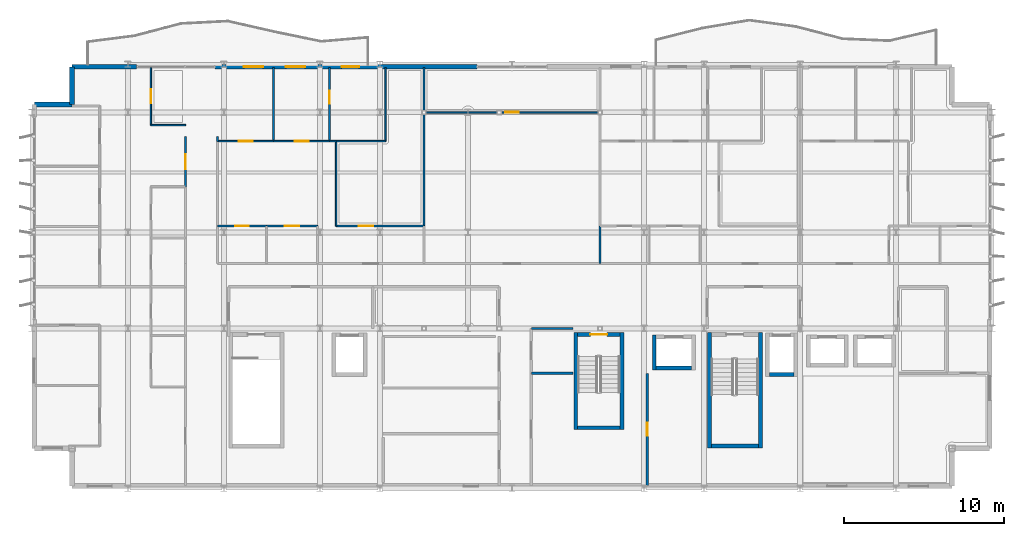
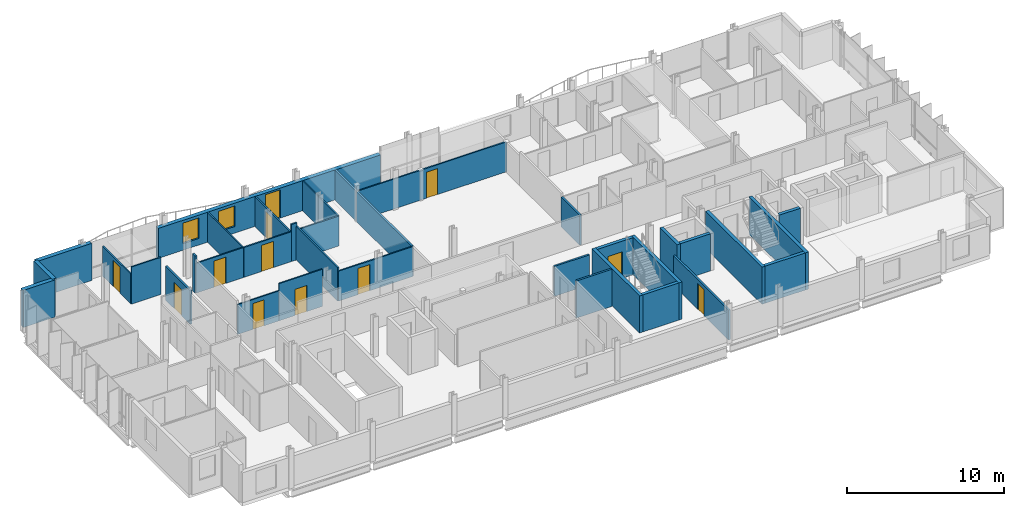
# One storey, part 28 of 35: 36 walls, 12 doors, 2 windows, 14 openings.
"""IFC4 building model written with IfcOpenShell, lengths in metres."""

from ifc_helpers import new_model, si_unit, direction, frame, frame_2d, origin, place, context, subcontext, project, spatial, rectangle, extrude, material, layer, layer_set, type_object, element, fill, save


model = new_model("IFC4")

# Units and contexts
model_context = context("Model", 3, precision=1e-05, world=origin(), true_north=direction((0.0, 1.0)))
body_context = subcontext(model_context, "Body", "Model", "MODEL_VIEW")
ifc_project = project(units=[si_unit("LENGTHUNIT", "METRE"), si_unit("AREAUNIT", "SQUARE_METRE"), si_unit("VOLUMEUNIT", "CUBIC_METRE"), si_unit("PLANEANGLEUNIT", "RADIAN"), si_unit("MASSUNIT", "GRAM", prefix="KILO")], contexts=[model_context])

# Site, building, storey
site_placement = place(None, origin())
site = spatial("IfcSite", under=ifc_project, at=site_placement, CompositionType="ELEMENT")
building_placement = place(site_placement, origin())
building = spatial("IfcBuilding", under=site, at=building_placement, Name="Brevholm Reach", CompositionType="ELEMENT")
storey_placement = place(building_placement, frame((0.0, 0.0, 218.0)))
storey = spatial("IfcBuildingStorey", under=building, at=storey_placement, Name="L66", CompositionType="ELEMENT", Elevation=218.0)

# Walls
ifc_material_1 = material(Name="Concrete C45/55", Category="concrete")
ifc_layer_1 = layer(ifc_material_1, 0.239990234375)
ifc_layer_set_1 = layer_set([ifc_layer_1], Name="Concrete C45/55")
wall_type_1 = type_object("IfcWallType", Name="WAL-COR-240", PredefinedType="SHEAR", material=ifc_layer_set_1)
for number, where, z_axis, x_axis, name in (
    (1, (42.330078125, 2.5400390625, 0.0), (0.0, 0.0, 1.0), (0.0, 1.0, 0.0), "L66 Escape Stair ST-2 Core Wall W"),
    (2, (45.52001953125, 2.5400390625, 0.0), (0.0, 0.0, 1.0), (0.0, 1.0, 0.0), "L66 Escape Stair ST-2 Core Wall E"),
):
    element("IfcWall", number, at=place(storey_placement, frame(where, z_axis=z_axis, x_axis=x_axis)), inside=storey, type_object=wall_type_1, Name=name, PredefinedType="SHEAR", context=body_context, shape_type="SweptSolid", body=[
        extrude(rectangle(XDim=7.199951171875, YDim=0.239990234375, at=frame_2d((3.60009765625, 0.0))), origin(), (0.0, 0.0, 1.0), 2.889892578125),
    ])
wall_1_placement = place(storey_placement, frame((42.449951171875, 2.659912109375, 0.0), z_axis=(0.0, 0.0, 1.0), x_axis=(1.0, 0.0, 0.0)))
element("IfcWall", 3, at=wall_1_placement, inside=storey, type_object=wall_type_1, Name="L66 Escape Stair ST-2 Core Wall S", PredefinedType="SHEAR", context=body_context, shape_type="SweptSolid", body=[
    extrude(rectangle(XDim=2.949951171875, YDim=0.239990234375, at=frame_2d((1.47509765625, 0.0))), origin(), (0.0, 0.0, 1.0), 2.889892578125),
])
for number, where, z_axis, x_axis, name in (
    (4, (33.97998046875, 3.679931640625, 0.0), (0.0, 0.0, 1.0), (0.0, 1.0, 0.0), "L66 Escape Stair ST-3 Core Wall W"),
    (5, (36.8701171875, 3.679931640625, 0.0), (0.0, 0.0, 1.0), (0.0, 1.0, 0.0), "L66 Escape Stair ST-3 Core Wall E"),
):
    element("IfcWall", number, at=place(storey_placement, frame(where, z_axis=z_axis, x_axis=x_axis)), inside=storey, type_object=wall_type_1, Name=name, PredefinedType="SHEAR", context=body_context, shape_type="SweptSolid", body=[
        extrude(rectangle(XDim=6.06005859375, YDim=0.239990234375, at=frame_2d((3.030029296875, 0.0))), origin(), (0.0, 0.0, 1.0), 2.889892578125),
    ])
wall_2_placement = place(storey_placement, frame((34.10009765625, 3.800048828125, 0.0), z_axis=(0.0, 0.0, 1.0), x_axis=(1.0, 0.0, 0.0)))
element("IfcWall", 6, at=wall_2_placement, inside=storey, type_object=wall_type_1, Name="L66 Escape Stair ST-3 Core Wall S", PredefinedType="SHEAR", context=body_context, shape_type="SweptSolid", body=[
    extrude(rectangle(XDim=2.64990234375, YDim=0.239990234375, at=frame_2d((1.324951171875, 0.0))), origin(), (0.0, 0.0, 1.0), 2.889892578125),
])

# Wall, opening, door
wall_3_placement = place(storey_placement, frame((36.75, 9.6201171875, 0.0), z_axis=(0.0, 0.0, 1.0), x_axis=(-1.0, 0.0, 0.0)))
wall_3 = element("IfcWall", 7, at=wall_3_placement, inside=storey, type_object=wall_type_1, Name="L66 Escape Stair ST-3 Core Wall N", PredefinedType="SHEAR", context=body_context, shape_type="SweptSolid", body=[
    extrude(rectangle(XDim=2.64990234375, YDim=0.239990234375, at=frame_2d((1.324951171875, 0.0))), origin(), (0.0, 0.0, 1.0), 2.889892578125),
])
opening_1_placement = place(wall_3_placement, frame((0.800048828125, 0.0, 0.0)))
opening_1 = element("IfcOpeningElement", 8, at=opening_1_placement, cuts=wall_3, Name="Opening SD-ST-3", PredefinedType="OPENING", context=body_context, shape_type="SweptSolid", body=[
    extrude(rectangle(XDim=1.050048828125, YDim=2.06005859375, at=frame_2d((0.52490234375, 1.030029296875))), frame((0.0, 0.1298828125, 0.0), z_axis=(0.0, -1.0, 0.0), x_axis=(1.0, 0.0, 0.0)), (0.0, 0.0, 1.0), 0.260009765625),
])
ifc_material_2 = material(Name="Hardwood-Lipped Steel-Core Fire and Smoke Door", Category="steel")
door_type_1 = type_object("IfcDoorType", Name="DOR-INT-FD60S", OperationType="NOTDEFINED", PredefinedType="DOOR", material=ifc_material_2)
door_1_placement = place(opening_1_placement, origin())
door_1 = element("IfcDoor", 9, at=door_1_placement, inside=storey, type_object=door_type_1, Name="L66 Protected Stair ST-3 Lobby Door", OperationType="SINGLE_SWING_LEFT", OverallHeight=2.06005859375, OverallWidth=1.050048828125, PredefinedType="DOOR", context=body_context, shape_type="SweptSolid", body=[
    extrude(rectangle(XDim=1.050048828125, YDim=2.06005859375, at=frame_2d((0.52490234375, 1.030029296875))), frame((0.0, 0.02490234375, 0.0), z_axis=(0.0, -1.0, 0.0), x_axis=(1.0, 0.0, 0.0)), (0.0, 0.0, 1.0), 0.050048828125),
])
fill(opening_1, door_1)

# Walls
wall_4_placement = place(storey_placement, frame((46.090087890625, 7.1201171875, 0.0), z_axis=(0.0, 0.0, 1.0), x_axis=(1.0, 0.0, 0.0)))
element("IfcWall", 10, at=wall_4_placement, inside=storey, type_object=wall_type_1, Name="L66 Lift FFL-2 Shaft Wall S", PredefinedType="SHEAR", context=body_context, shape_type="SweptSolid", body=[
    extrude(rectangle(XDim=1.52001953125, YDim=0.239990234375, at=frame_2d((0.760009765625, 0.0))), origin(), (0.0, 0.0, 1.0), 2.889892578125),
])
wall_5_placement = place(storey_placement, frame((38.889892578125, 7.39990234375, 0.0), z_axis=(0.0, 0.0, 1.0), x_axis=(0.0, 1.0, 0.0)))
element("IfcWall", 11, at=wall_5_placement, inside=storey, type_object=wall_type_1, Name="L66 Lift PL-S1 Shaft Wall W", PredefinedType="SHEAR", context=body_context, shape_type="SweptSolid", body=[
    extrude(rectangle(XDim=2.2001953125, YDim=0.239990234375, at=frame_2d((1.10009765625, 0.0))), origin(), (0.0, 0.0, 1.0), 2.889892578125),
])
wall_6_placement = place(storey_placement, frame((39.010009765625, 7.52001953125, 0.0), z_axis=(0.0, 0.0, 1.0), x_axis=(1.0, 0.0, 0.0)))
element("IfcWall", 12, at=wall_6_placement, inside=storey, type_object=wall_type_1, Name="L66 Lift PL-S1 Shaft Wall S", PredefinedType="SHEAR", context=body_context, shape_type="SweptSolid", body=[
    extrude(rectangle(XDim=2.219970703125, YDim=0.239990234375, at=frame_2d((1.10986328125, 0.0))), origin(), (0.0, 0.0, 1.0), 2.889892578125),
])
ifc_material_3 = material(Name="Concrete C40/50", Category="concrete")
ifc_layer_2 = layer(ifc_material_3, 0.300048828125)
ifc_layer_set_2 = layer_set([ifc_layer_2], Name="Concrete C40/50")
wall_type_2 = type_object("IfcWallType", Name="WAL-EXT-300", PredefinedType="STANDARD", material=ifc_layer_set_2)
for number, where, z_axis, x_axis, name in (
    (13, (2.5, 26.35009765625, 0.0), (0.0, 0.0, 1.0), (0.0, -1.0, 0.0), "L66 Facade Wall WAL-L66-CNW1"),
    (14, (2.5, 24.0, 0.0), (0.0, 0.0, 1.0), (-1.0, 0.0, 0.0), "L66 Facade Wall WAL-L66-CNW2"),
):
    element("IfcWall", number, at=place(storey_placement, frame(where, z_axis=z_axis, x_axis=x_axis)), inside=storey, type_object=wall_type_2, Name=name, PredefinedType="STANDARD", context=body_context, shape_type="SweptSolid", body=[
        extrude(rectangle(XDim=2.35009765625, YDim=0.300048828125, at=frame_2d((1.175048828125, 0.0))), origin(), (0.0, 0.0, 1.0), 2.889892578125),
    ])
wall_7_placement = place(storey_placement, frame((2.5, 26.35009765625, 0.0), z_axis=(0.0, 0.0, 1.0), x_axis=(1.0, 0.0, 0.0)))
element("IfcWall", 15, at=wall_7_placement, inside=storey, type_object=wall_type_2, Name="L66 Facade Wall WAL-L66-NP-W0", PredefinedType="STANDARD", context=body_context, shape_type="SweptSolid", body=[
    extrude(rectangle(XDim=4.050048828125, YDim=0.300048828125, at=frame_2d((2.02490234375, 0.0))), origin(), (0.0, 0.0, 1.0), 2.889892578125),
])

# Wall, openings, door, windows
wall_8_placement = place(storey_placement, frame((11.449951171875, 26.35009765625, 0.0), z_axis=(0.0, 0.0, 1.0), x_axis=(1.0, 0.0, 0.0)))
wall_8 = element("IfcWall", 16, at=wall_8_placement, inside=storey, type_object=wall_type_2, Name="L66 Facade Wall WAL-L66-NP-WL", PredefinedType="STANDARD", context=body_context, shape_type="SweptSolid", body=[
    extrude(rectangle(XDim=16.35009765625, YDim=0.300048828125, at=frame_2d((8.175048828125, 0.0))), origin(), (0.0, 0.0, 1.0), 2.331787109375),
])
opening_2_placement = place(wall_8_placement, frame((7.89794921875, 0.0, 0.0)))
opening_2 = element("IfcOpeningElement", 17, at=opening_2_placement, cuts=wall_8, Name="Opening BD-01", PredefinedType="OPENING", context=body_context, shape_type="SweptSolid", body=[
    extrude(rectangle(XDim=1.10009765625, YDim=2.199951171875, at=frame_2d((0.550048828125, 1.10009765625))), frame((0.0, 0.159912109375, 0.0), z_axis=(0.0, -1.0, 0.0), x_axis=(1.0, 0.0, 0.0)), (0.0, 0.0, 1.0), 0.320068359375),
])
opening_3_placement = place(wall_8_placement, frame((1.800048828125, 0.0, 0.511962890625)))
opening_3 = element("IfcOpeningElement", 18, at=opening_3_placement, cuts=wall_8, Name="Opening WN-08", PredefinedType="OPENING", context=body_context, shape_type="SweptSolid", body=[
    extrude(rectangle(XDim=1.199951171875, YDim=1.60009765625, at=frame_2d((0.60009765625, 0.800048828125))), frame((0.0, 0.159912109375, 0.0), z_axis=(0.0, -1.0, 0.0), x_axis=(1.0, 0.0, 0.0)), (0.0, 0.0, 1.0), 0.320068359375),
])
opening_4_placement = place(wall_8_placement, frame((4.42138671875, 0.0, 0.511962890625)))
opening_4 = element("IfcOpeningElement", 19, at=opening_4_placement, cuts=wall_8, Name="Opening WN-08", PredefinedType="OPENING", context=body_context, shape_type="SweptSolid", body=[
    extrude(rectangle(XDim=1.199951171875, YDim=1.60009765625, at=frame_2d((0.60009765625, 0.800048828125))), frame((0.0, 0.159912109375, 0.0), z_axis=(0.0, -1.0, 0.0), x_axis=(1.0, 0.0, 0.0)), (0.0, 0.0, 1.0), 0.320068359375),
])
ifc_material_4 = material(Name="Dark Anodised Aluminium and Triple-Glazed Glass", Category="aluminium")
door_type_2 = type_object("IfcDoorType", Name="DOR-BALC-1100", OperationType="NOTDEFINED", PredefinedType="DOOR", material=ifc_material_4)
door_2_placement = place(opening_2_placement, origin())
door_2 = element("IfcDoor", 20, at=door_2_placement, inside=storey, type_object=door_type_2, Name="L66 Exterior Door DOR-L66-BL-NW", OperationType="SINGLE_SWING_RIGHT", OverallHeight=2.199951171875, OverallWidth=1.10009765625, PredefinedType="DOOR", context=body_context, shape_type="SweptSolid", body=[
    extrude(rectangle(XDim=1.10009765625, YDim=2.199951171875, at=frame_2d((0.550048828125, 1.10009765625))), frame((0.0, 0.02490234375, 0.0), z_axis=(0.0, -1.0, 0.0), x_axis=(1.0, 0.0, 0.0)), (0.0, 0.0, 1.0), 0.050048828125),
])
fill(opening_2, door_2)
ifc_material_5 = material(Name="Dark Anodised Aluminium and Solar-Control IGU Glass", Category="aluminium")
window_type = type_object("IfcWindowType", Name="WIN-RES-1200", PartitioningType="SINGLE_PANEL", PredefinedType="WINDOW", material=ifc_material_5)
window_1_placement = place(opening_3_placement, origin())
window_1 = element("IfcWindow", 21, at=window_1_placement, inside=storey, type_object=window_type, Name="L66 Window WIN-L66-NP-WL1", OverallHeight=1.60009765625, OverallWidth=1.199951171875, PartitioningType="SINGLE_PANEL", PredefinedType="WINDOW", context=body_context, shape_type="SweptSolid", body=[
    extrude(rectangle(XDim=1.199951171875, YDim=1.60009765625, at=frame_2d((0.60009765625, 0.800048828125))), frame((0.0, 0.030029296875, 0.0), z_axis=(0.0, -1.0, 0.0), x_axis=(1.0, 0.0, 0.0)), (0.0, 0.0, 1.0), 0.06005859375),
])
fill(opening_3, window_1)
window_2_placement = place(opening_4_placement, origin())
window_2 = element("IfcWindow", 22, at=window_2_placement, inside=storey, type_object=window_type, Name="L66 Bedroom Window 073", OverallHeight=1.60009765625, OverallWidth=1.199951171875, PartitioningType="SINGLE_PANEL", PredefinedType="WINDOW", context=body_context, shape_type="SweptSolid", body=[
    extrude(rectangle(XDim=1.199951171875, YDim=1.60009765625, at=frame_2d((0.60009765625, 0.800048828125))), frame((0.0, 0.030029296875, 0.0), z_axis=(0.0, -1.0, 0.0), x_axis=(1.0, 0.0, 0.0)), (0.0, 0.0, 1.0), 0.06005859375),
])
fill(opening_4, window_2)

# Wall
ifc_material_6 = material(Name="Moisture-Resistant Acoustic Gypsum Stud Partition 100 mm", Category="gypsum")
ifc_layer_3 = layer(ifc_material_6, 0.10009765625)
ifc_layer_set_3 = layer_set([ifc_layer_3], Name="Moisture-Resistant Acoustic Gypsum Stud Partition 100 mm")
wall_type_3 = type_object("IfcWallType", Name="WAL-PRT-100", PredefinedType="PARTITIONING", material=ifc_layer_set_3)
wall_9_placement = place(storey_placement, frame((7.43798828125, 22.699951171875, 0.0), z_axis=(0.0, 0.0, 1.0), x_axis=(1.0, 0.0, 0.0)))
element("IfcWall", 23, at=wall_9_placement, inside=storey, type_object=wall_type_3, Name="L66 Internal Partition 060", PredefinedType="PARTITIONING", context=body_context, shape_type="SweptSolid", body=[
    extrude(rectangle(XDim=2.162109375, YDim=0.10009765625, at=frame_2d((1.0810546875, 0.0))), origin(), (0.0, 0.0, 1.0), 2.889892578125),
])

# Wall, opening, door
wall_10_placement = place(storey_placement, frame((7.43798828125, 22.699951171875, 0.0), z_axis=(0.0, 0.0, 1.0), x_axis=(0.0, 1.0, 0.0)))
wall_10 = element("IfcWall", 24, at=wall_10_placement, inside=storey, type_object=wall_type_3, Name="L66 Internal Partition 061", PredefinedType="PARTITIONING", context=body_context, shape_type="SweptSolid", body=[
    extrude(rectangle(XDim=3.60009765625, YDim=0.10009765625, at=frame_2d((1.800048828125, 0.0))), origin(), (0.0, 0.0, 1.0), 2.325439453125),
])
opening_5_placement = place(wall_10_placement, frame((1.360107421875, 0.0, 0.0)))
opening_5 = element("IfcOpeningElement", 25, at=opening_5_placement, cuts=wall_10, Name="Opening ID-01", PredefinedType="OPENING", context=body_context, shape_type="SweptSolid", body=[
    extrude(rectangle(XDim=0.8798828125, YDim=2.0400390625, at=frame_2d((0.43994140625, 1.02001953125))), frame((0.0, 0.06005859375, 0.0), z_axis=(0.0, -1.0, 0.0), x_axis=(1.0, 0.0, 0.0)), (0.0, 0.0, 1.0), 0.1201171875),
])
ifc_material_7 = material(Name="Lacquered Ash Solid-Core Acoustic Internal Door", Category="timber")
door_type_3 = type_object("IfcDoorType", Name="DOR-INT-880", OperationType="NOTDEFINED", PredefinedType="DOOR", material=ifc_material_7)
door_3_placement = place(opening_5_placement, origin())
door_3 = element("IfcDoor", 26, at=door_3_placement, inside=storey, type_object=door_type_3, Name="L66 Internal Door 026", OperationType="SINGLE_SWING_LEFT", OverallHeight=2.0400390625, OverallWidth=0.8798828125, PredefinedType="DOOR", context=body_context, shape_type="SweptSolid", body=[
    extrude(rectangle(XDim=0.8798828125, YDim=2.0400390625, at=frame_2d((0.43994140625, 1.02001953125))), frame((0.0, 0.02490234375, 0.0), z_axis=(0.0, -1.0, 0.0), x_axis=(1.0, 0.0, 0.0)), (0.0, 0.0, 1.0), 0.050048828125),
])
fill(opening_5, door_3)

wall_11_placement = place(storey_placement, frame((11.60400390625, 16.39990234375, 0.0), z_axis=(0.0, 0.0, 1.0), x_axis=(1.0, 0.0, 0.0)))
wall_11 = element("IfcWall", 27, at=wall_11_placement, inside=storey, type_object=wall_type_3, Name="L66 Internal Partition 069", PredefinedType="PARTITIONING", context=body_context, shape_type="SweptSolid", body=[
    extrude(rectangle(XDim=3.0458984375, YDim=0.10009765625, at=frame_2d((1.52294921875, 0.0))), origin(), (0.0, 0.0, 1.0), 2.325439453125),
])
opening_6_placement = place(wall_11_placement, frame((1.113037109375, 0.0, 0.0)))
opening_6 = element("IfcOpeningElement", 28, at=opening_6_placement, cuts=wall_11, Name="Opening ID-03", PredefinedType="OPENING", context=body_context, shape_type="SweptSolid", body=[
    extrude(rectangle(XDim=0.820068359375, YDim=2.02001953125, at=frame_2d((0.41015625, 1.010009765625))), frame((0.0, 0.06005859375, 0.0), z_axis=(0.0, -1.0, 0.0), x_axis=(1.0, 0.0, 0.0)), (0.0, 0.0, 1.0), 0.1201171875),
])
ifc_material_8 = material(Name="Moisture-Resistant Painted Timber Internal Bathroom Door", Category="wood")
door_type_4 = type_object("IfcDoorType", Name="DOR-BATH-820", OperationType="NOTDEFINED", PredefinedType="DOOR", material=ifc_material_8)
door_4_placement = place(opening_6_placement, origin())
door_4 = element("IfcDoor", 29, at=door_4_placement, inside=storey, type_object=door_type_4, Name="L66 Internal Door 030", OperationType="SINGLE_SWING_LEFT", OverallHeight=2.02001953125, OverallWidth=0.820068359375, PredefinedType="DOOR", context=body_context, shape_type="SweptSolid", body=[
    extrude(rectangle(XDim=0.820068359375, YDim=2.02001953125, at=frame_2d((0.41015625, 1.010009765625))), frame((0.0, 0.02490234375, 0.0), z_axis=(0.0, -1.0, 0.0), x_axis=(1.0, 0.0, 0.0)), (0.0, 0.0, 1.0), 0.050048828125),
])
fill(opening_6, door_4)

wall_12_placement = place(storey_placement, frame((14.654052734375, 16.39990234375, 0.0), z_axis=(0.0, 0.0, 1.0), x_axis=(1.0, 0.0, 0.0)))
wall_12 = element("IfcWall", 30, at=wall_12_placement, inside=storey, type_object=wall_type_3, Name="L66 Internal Partition 071", PredefinedType="PARTITIONING", context=body_context, shape_type="SweptSolid", body=[
    extrude(rectangle(XDim=3.196044921875, YDim=0.10009765625, at=frame_2d((1.59814453125, 0.0))), origin(), (0.0, 0.0, 1.0), 2.889892578125),
])
opening_7_placement = place(wall_12_placement, frame((1.157958984375, 0.0, 0.0)))
opening_7 = element("IfcOpeningElement", 31, at=opening_7_placement, cuts=wall_12, Name="Opening ID-01", PredefinedType="OPENING", context=body_context, shape_type="SweptSolid", body=[
    extrude(rectangle(XDim=0.8798828125, YDim=2.0400390625, at=frame_2d((0.43994140625, 1.02001953125))), frame((0.0, 0.06005859375, 0.0), z_axis=(0.0, -1.0, 0.0), x_axis=(1.0, 0.0, 0.0)), (0.0, 0.0, 1.0), 0.1201171875),
])
door_5_placement = place(opening_7_placement, origin())
door_5 = element("IfcDoor", 32, at=door_5_placement, inside=storey, type_object=door_type_3, Name="L66 Internal Door 031", OperationType="SINGLE_SWING_RIGHT", OverallHeight=2.0400390625, OverallWidth=0.8798828125, PredefinedType="DOOR", context=body_context, shape_type="SweptSolid", body=[
    extrude(rectangle(XDim=0.8798828125, YDim=2.0400390625, at=frame_2d((0.43994140625, 1.02001953125))), frame((0.0, 0.02490234375, 0.0), z_axis=(0.0, -1.0, 0.0), x_axis=(1.0, 0.0, 0.0)), (0.0, 0.0, 1.0), 0.050048828125),
])
fill(opening_7, door_5)

# Wall
wall_13_placement = place(storey_placement, frame((15.10009765625, 21.699951171875, 0.0), z_axis=(0.0, 0.0, 1.0), x_axis=(0.0, 1.0, 0.0)))
element("IfcWall", 33, at=wall_13_placement, inside=storey, type_object=wall_type_3, Name="L66 Internal Partition 072", PredefinedType="PARTITIONING", context=body_context, shape_type="SweptSolid", body=[
    extrude(rectangle(XDim=4.60009765625, YDim=0.10009765625, at=frame_2d((2.300048828125, 0.0))), origin(), (0.0, 0.0, 1.0), 2.325439453125),
])

# Wall, opening, door
wall_14_placement = place(storey_placement, frame((11.60400390625, 21.699951171875, 0.0), z_axis=(0.0, 0.0, 1.0), x_axis=(1.0, 0.0, 0.0)))
wall_14 = element("IfcWall", 34, at=wall_14_placement, inside=storey, type_object=wall_type_3, Name="L66 Internal Partition 073", PredefinedType="PARTITIONING", context=body_context, shape_type="SweptSolid", body=[
    extrude(rectangle(XDim=3.49609375, YDim=0.10009765625, at=frame_2d((1.748046875, 0.0))), origin(), (0.0, 0.0, 1.0), 2.325439453125),
])
opening_8_placement = place(wall_14_placement, frame((1.30810546875, 0.0, 0.0)))
opening_8 = element("IfcOpeningElement", 35, at=opening_8_placement, cuts=wall_14, Name="Opening ID-01", PredefinedType="OPENING", context=body_context, shape_type="SweptSolid", body=[
    extrude(rectangle(XDim=0.8798828125, YDim=2.0400390625, at=frame_2d((0.43994140625, 1.02001953125))), frame((0.0, 0.06005859375, 0.0), z_axis=(0.0, -1.0, 0.0), x_axis=(1.0, 0.0, 0.0)), (0.0, 0.0, 1.0), 0.1201171875),
])
door_6_placement = place(opening_8_placement, origin())
door_6 = element("IfcDoor", 36, at=door_6_placement, inside=storey, type_object=door_type_3, Name="L66 Internal Door 032", OperationType="SINGLE_SWING_LEFT", OverallHeight=2.0400390625, OverallWidth=0.8798828125, PredefinedType="DOOR", context=body_context, shape_type="SweptSolid", body=[
    extrude(rectangle(XDim=0.8798828125, YDim=2.0400390625, at=frame_2d((0.43994140625, 1.02001953125))), frame((0.0, 0.02490234375, 0.0), z_axis=(0.0, -1.0, 0.0), x_axis=(1.0, 0.0, 0.0)), (0.0, 0.0, 1.0), 0.050048828125),
])
fill(opening_8, door_6)

wall_15_placement = place(storey_placement, frame((18.60009765625, 21.699951171875, 0.0), z_axis=(0.0, 0.0, 1.0), x_axis=(0.0, 1.0, 0.0)))
wall_15 = element("IfcWall", 37, at=wall_15_placement, inside=storey, type_object=wall_type_3, Name="L66 Internal Partition 074", PredefinedType="PARTITIONING", context=body_context, shape_type="SweptSolid", body=[
    extrude(rectangle(XDim=4.60009765625, YDim=0.10009765625, at=frame_2d((2.300048828125, 0.0))), origin(), (0.0, 0.0, 1.0), 2.325439453125),
])
opening_9_placement = place(wall_15_placement, frame((2.330078125, 0.0, 0.0)))
opening_9 = element("IfcOpeningElement", 38, at=opening_9_placement, cuts=wall_15, Name="Opening ID-03", PredefinedType="OPENING", context=body_context, shape_type="SweptSolid", body=[
    extrude(rectangle(XDim=0.820068359375, YDim=2.02001953125, at=frame_2d((0.41015625, 1.010009765625))), frame((0.0, 0.06005859375, 0.0), z_axis=(0.0, -1.0, 0.0), x_axis=(1.0, 0.0, 0.0)), (0.0, 0.0, 1.0), 0.1201171875),
])
door_7_placement = place(opening_9_placement, origin())
door_7 = element("IfcDoor", 39, at=door_7_placement, inside=storey, type_object=door_type_4, Name="L66 Access Door 045", OperationType="SINGLE_SWING_RIGHT", OverallHeight=2.02001953125, OverallWidth=0.820068359375, PredefinedType="DOOR", context=body_context, shape_type="SweptSolid", body=[
    extrude(rectangle(XDim=0.820068359375, YDim=2.02001953125, at=frame_2d((0.41015625, 1.010009765625))), frame((0.0, 0.02490234375, 0.0), z_axis=(0.0, -1.0, 0.0), x_axis=(1.0, 0.0, 0.0)), (0.0, 0.0, 1.0), 0.050048828125),
])
fill(opening_9, door_7)

wall_16_placement = place(storey_placement, frame((15.10400390625, 21.699951171875, 0.0), z_axis=(0.0, 0.0, 1.0), x_axis=(1.0, 0.0, 0.0)))
wall_16 = element("IfcWall", 40, at=wall_16_placement, inside=storey, type_object=wall_type_3, Name="L66 Internal Partition 075", PredefinedType="PARTITIONING", context=body_context, shape_type="SweptSolid", body=[
    extrude(rectangle(XDim=3.49609375, YDim=0.10009765625, at=frame_2d((1.748046875, 0.0))), origin(), (0.0, 0.0, 1.0), 2.325439453125),
])
opening_10_placement = place(wall_16_placement, frame((1.30810546875, 0.0, 0.0)))
opening_10 = element("IfcOpeningElement", 41, at=opening_10_placement, cuts=wall_16, Name="Opening ID-01", PredefinedType="OPENING", context=body_context, shape_type="SweptSolid", body=[
    extrude(rectangle(XDim=0.8798828125, YDim=2.0400390625, at=frame_2d((0.43994140625, 1.02001953125))), frame((0.0, 0.06005859375, 0.0), z_axis=(0.0, -1.0, 0.0), x_axis=(1.0, 0.0, 0.0)), (0.0, 0.0, 1.0), 0.1201171875),
])
door_8_placement = place(opening_10_placement, origin())
door_8 = element("IfcDoor", 42, at=door_8_placement, inside=storey, type_object=door_type_3, Name="L66 Internal Door 033", OperationType="SINGLE_SWING_RIGHT", OverallHeight=2.0400390625, OverallWidth=0.8798828125, PredefinedType="DOOR", context=body_context, shape_type="SweptSolid", body=[
    extrude(rectangle(XDim=0.8798828125, YDim=2.0400390625, at=frame_2d((0.43994140625, 1.02001953125))), frame((0.0, 0.02490234375, 0.0), z_axis=(0.0, -1.0, 0.0), x_axis=(1.0, 0.0, 0.0)), (0.0, 0.0, 1.0), 0.050048828125),
])
fill(opening_10, door_8)

# Walls
wall_17_placement = place(storey_placement, frame((19.003662109375, 21.699951171875, 0.0), z_axis=(0.0, 0.0, 1.0), x_axis=(1.0, 0.0, 0.0)))
element("IfcWall", 43, at=wall_17_placement, inside=storey, type_object=wall_type_3, Name="L66 Internal Partition 076", PredefinedType="PARTITIONING", context=body_context, shape_type="SweptSolid", body=[
    extrude(rectangle(XDim=3.096435546875, YDim=0.10009765625, at=frame_2d((1.54833984375, 0.0))), origin(), (0.0, 0.0, 1.0), 2.325439453125),
])
wall_18_placement = place(storey_placement, frame((22.10009765625, 21.699951171875, 0.0), z_axis=(0.0, 0.0, 1.0), x_axis=(0.0, 1.0, 0.0)))
element("IfcWall", 44, at=wall_18_placement, inside=storey, type_object=wall_type_3, Name="L66 Internal Partition 077", PredefinedType="PARTITIONING", context=body_context, shape_type="SweptSolid", body=[
    extrude(rectangle(XDim=4.60009765625, YDim=0.10009765625, at=frame_2d((2.300048828125, 0.0))), origin(), (0.0, 0.0, 1.0), 2.325439453125),
])
wall_19_placement = place(storey_placement, frame((18.60400390625, 21.699951171875, 0.0), z_axis=(0.0, 0.0, 1.0), x_axis=(1.0, 0.0, 0.0)))
element("IfcWall", 45, at=wall_19_placement, inside=storey, type_object=wall_type_3, Name="L66 Internal Partition 078", PredefinedType="PARTITIONING", context=body_context, shape_type="SweptSolid", body=[
    extrude(rectangle(XDim=0.418212890625, YDim=0.10009765625, at=frame_2d((0.208984375, 0.0))), origin(), (0.0, 0.0, 1.0), 2.889892578125),
])

# Wall, opening, door
wall_20_placement = place(storey_placement, frame((19.014892578125, 16.39990234375, 0.0), z_axis=(0.0, 0.0, 1.0), x_axis=(1.0, 0.0, 0.0)))
wall_20 = element("IfcWall", 46, at=wall_20_placement, inside=storey, type_object=wall_type_3, Name="L66 Internal Partition 079", PredefinedType="PARTITIONING", context=body_context, shape_type="SweptSolid", body=[
    extrude(rectangle(XDim=5.485107421875, YDim=0.10009765625, at=frame_2d((2.74267578125, 0.0))), origin(), (0.0, 0.0, 1.0), 2.325439453125),
])
opening_11_placement = place(wall_20_placement, frame((1.422607421875, 0.0, 0.0)))
opening_11 = element("IfcOpeningElement", 47, at=opening_11_placement, cuts=wall_20, Name="Opening ID-01", PredefinedType="OPENING", context=body_context, shape_type="SweptSolid", body=[
    extrude(rectangle(XDim=0.8798828125, YDim=2.0400390625, at=frame_2d((0.43994140625, 1.02001953125))), frame((0.0, 0.06005859375, 0.0), z_axis=(0.0, -1.0, 0.0), x_axis=(1.0, 0.0, 0.0)), (0.0, 0.0, 1.0), 0.1201171875),
])
door_9_placement = place(opening_11_placement, origin())
door_9 = element("IfcDoor", 48, at=door_9_placement, inside=storey, type_object=door_type_3, Name="L66 Internal Door 034", OperationType="SINGLE_SWING_LEFT", OverallHeight=2.0400390625, OverallWidth=0.8798828125, PredefinedType="DOOR", context=body_context, shape_type="SweptSolid", body=[
    extrude(rectangle(XDim=0.8798828125, YDim=2.0400390625, at=frame_2d((0.43994140625, 1.02001953125))), frame((0.0, 0.02490234375, 0.0), z_axis=(0.0, -1.0, 0.0), x_axis=(1.0, 0.0, 0.0)), (0.0, 0.0, 1.0), 0.050048828125),
])
fill(opening_11, door_9)

# Wall
wall_21_placement = place(storey_placement, frame((19.014892578125, 16.39990234375, 0.0), z_axis=(0.0, 0.0, 1.0), x_axis=(0.0, 1.0, 0.0)))
element("IfcWall", 49, at=wall_21_placement, inside=storey, type_object=wall_type_3, Name="L66 Internal Partition 080", PredefinedType="PARTITIONING", context=body_context, shape_type="SweptSolid", body=[
    extrude(rectangle(XDim=5.296142578125, YDim=0.10009765625, at=frame_2d((2.64794921875, 0.0))), origin(), (0.0, 0.0, 1.0), 2.613525390625),
])

# Wall, opening, door
wall_22_placement = place(storey_placement, frame((24.50390625, 23.5, 0.0), z_axis=(0.0, 0.0, 1.0), x_axis=(1.0, 0.0, 0.0)))
wall_22 = element("IfcWall", 50, at=wall_22_placement, inside=storey, type_object=wall_type_3, Name="L66 Internal Partition 084", PredefinedType="PARTITIONING", context=body_context, shape_type="SweptSolid", body=[
    extrude(rectangle(XDim=10.99609375, YDim=0.10009765625, at=frame_2d((5.498046875, 0.0))), origin(), (0.0, 0.0, 1.0), 2.325439453125),
])
opening_12_placement = place(wall_22_placement, frame((5.087890625, 0.0, 0.0)))
opening_12 = element("IfcOpeningElement", 51, at=opening_12_placement, cuts=wall_22, Name="Opening ID-03", PredefinedType="OPENING", context=body_context, shape_type="SweptSolid", body=[
    extrude(rectangle(XDim=0.820068359375, YDim=2.02001953125, at=frame_2d((0.41015625, 1.010009765625))), frame((0.0, 0.06005859375, 0.0), z_axis=(0.0, -1.0, 0.0), x_axis=(1.0, 0.0, 0.0)), (0.0, 0.0, 1.0), 0.1201171875),
])
door_10_placement = place(opening_12_placement, origin())
door_10 = element("IfcDoor", 52, at=door_10_placement, inside=storey, type_object=door_type_4, Name="L66 Access Door 046", OperationType="SINGLE_SWING_LEFT", OverallHeight=2.02001953125, OverallWidth=0.820068359375, PredefinedType="DOOR", context=body_context, shape_type="SweptSolid", body=[
    extrude(rectangle(XDim=0.820068359375, YDim=2.02001953125, at=frame_2d((0.41015625, 1.010009765625))), frame((0.0, 0.02490234375, 0.0), z_axis=(0.0, -1.0, 0.0), x_axis=(1.0, 0.0, 0.0)), (0.0, 0.0, 1.0), 0.050048828125),
])
fill(opening_12, door_10)

# Wall
ifc_material_9 = material(Name="Twin-Stud Acoustic Fire-Rated Gypsum Partition 140 mm", Category="gypsum")
ifc_layer_4 = layer(ifc_material_9, 0.139892578125)
ifc_layer_set_4 = layer_set([ifc_layer_4], Name="Twin-Stud Acoustic Fire-Rated Gypsum Partition 140 mm")
wall_type_4 = type_object("IfcWallType", Name="WAL-PRT-140", PredefinedType="PARTITIONING", material=ifc_layer_set_4)
wall_23_placement = place(storey_placement, frame((31.2041015625, 7.199951171875, 0.0), z_axis=(0.0, 0.0, 1.0), x_axis=(1.0, 0.0, 0.0)))
element("IfcWall", 53, at=wall_23_placement, inside=storey, type_object=wall_type_4, Name="L66 Internal Partition 009", PredefinedType="PARTITIONING", context=body_context, shape_type="SweptSolid", body=[
    extrude(rectangle(XDim=2.607177734375, YDim=0.139892578125, at=frame_2d((1.3037109375, 0.0))), origin(), (0.0, 0.0, 1.0), 2.889892578125),
])

# Wall, opening, door
wall_24_placement = place(storey_placement, frame((38.449951171875, 0.179931640625, 0.0), z_axis=(0.0, 0.0, 1.0), x_axis=(0.0, 1.0, 0.0)))
wall_24 = element("IfcWall", 54, at=wall_24_placement, inside=storey, type_object=wall_type_4, Name="L66 Internal Partition 010", PredefinedType="PARTITIONING", context=body_context, shape_type="SweptSolid", body=[
    extrude(rectangle(XDim=7.02001953125, YDim=0.139892578125, at=frame_2d((3.510009765625, 0.0))), origin(), (0.0, 0.0, 1.0), 2.325439453125),
])
opening_13_placement = place(wall_24_placement, frame((3.10009765625, 0.0, 0.0)))
opening_13 = element("IfcOpeningElement", 55, at=opening_13_placement, cuts=wall_24, Name="Opening ID-02", PredefinedType="OPENING", context=body_context, shape_type="SweptSolid", body=[
    extrude(rectangle(XDim=0.820068359375, YDim=2.02001953125, at=frame_2d((0.41015625, 1.010009765625))), frame((0.0, 0.079833984375, 0.0), z_axis=(0.0, -1.0, 0.0), x_axis=(1.0, 0.0, 0.0)), (0.0, 0.0, 1.0), 0.159912109375),
])
ifc_material_10 = material(Name="Moisture-Resistant Painted Timber Fire-Rated Riser and Service Door", Category="wood")
door_type_5 = type_object("IfcDoorType", Name="DOR-SRV-820", OperationType="NOTDEFINED", PredefinedType="DOOR", material=ifc_material_10)
door_11_placement = place(opening_13_placement, origin())
door_11 = element("IfcDoor", 56, at=door_11_placement, inside=storey, type_object=door_type_5, Name="L66 Access Door 044", OperationType="SINGLE_SWING_LEFT", OverallHeight=2.02001953125, OverallWidth=0.820068359375, PredefinedType="DOOR", context=body_context, shape_type="SweptSolid", body=[
    extrude(rectangle(XDim=0.820068359375, YDim=2.02001953125, at=frame_2d((0.41015625, 1.010009765625))), frame((0.0, 0.02490234375, 0.0), z_axis=(0.0, -1.0, 0.0), x_axis=(1.0, 0.0, 0.0)), (0.0, 0.0, 1.0), 0.050048828125),
])
fill(opening_13, door_11)

# Wall
wall_25_placement = place(storey_placement, frame((31.2041015625, 10.0, 0.0), z_axis=(0.0, 0.0, 1.0), x_axis=(1.0, 0.0, 0.0)))
element("IfcWall", 57, at=wall_25_placement, inside=storey, type_object=wall_type_4, Name="L66 Internal Partition 011", PredefinedType="PARTITIONING", context=body_context, shape_type="SweptSolid", body=[
    extrude(rectangle(XDim=2.595947265625, YDim=0.139892578125, at=frame_2d((1.2978515625, 0.0))), origin(), (0.0, 0.0, 1.0), 2.325439453125),
])

# Wall, opening, door
wall_26_placement = place(storey_placement, frame((9.60009765625, 18.8427734375, 0.0), z_axis=(0.0, 0.0, 1.0), x_axis=(0.0, 1.0, 0.0)))
wall_26 = element("IfcWall", 58, at=wall_26_placement, inside=storey, type_object=wall_type_4, Name="L66 Internal Partition 052", PredefinedType="PARTITIONING", context=body_context, shape_type="SweptSolid", body=[
    extrude(rectangle(XDim=3.1572265625, YDim=0.139892578125, at=frame_2d((1.57861328125, 0.0))), origin(), (0.0, 0.0, 1.0), 2.613525390625),
])
opening_14_placement = place(wall_26_placement, frame((1.103515625, 0.0, 0.0)))
opening_14 = element("IfcOpeningElement", 59, at=opening_14_placement, cuts=wall_26, Name="Opening ID-30", PredefinedType="OPENING", context=body_context, shape_type="SweptSolid", body=[
    extrude(rectangle(XDim=0.949951171875, YDim=2.050048828125, at=frame_2d((0.47509765625, 1.02490234375))), frame((0.0, 0.079833984375, 0.0), z_axis=(0.0, -1.0, 0.0), x_axis=(1.0, 0.0, 0.0)), (0.0, 0.0, 1.0), 0.159912109375),
])
ifc_material_11 = material(Name="European Oak Veneered Solid-Core Fire Entrance Door", Category="timber")
door_type_6 = type_object("IfcDoorType", Name="DOR-FLT-FD30S", OperationType="NOTDEFINED", PredefinedType="DOOR", material=ifc_material_11)
door_12_placement = place(opening_14_placement, origin())
door_12 = element("IfcDoor", 60, at=door_12_placement, inside=storey, type_object=door_type_6, Name="L66 Internal Door 023", OperationType="SINGLE_SWING_RIGHT", OverallHeight=2.050048828125, OverallWidth=0.949951171875, PredefinedType="DOOR", context=body_context, shape_type="SweptSolid", body=[
    extrude(rectangle(XDim=0.949951171875, YDim=2.050048828125, at=frame_2d((0.47509765625, 1.02490234375))), frame((0.0, 0.02490234375, 0.0), z_axis=(0.0, -1.0, 0.0), x_axis=(1.0, 0.0, 0.0)), (0.0, 0.0, 1.0), 0.050048828125),
])
fill(opening_14, door_12)

# Walls
wall_27_placement = place(storey_placement, frame((11.60009765625, 21.688720703125, 0.0), z_axis=(0.0, 0.0, 1.0), x_axis=(0.0, 1.0, 0.0)))
element("IfcWall", 61, at=wall_27_placement, inside=storey, type_object=wall_type_4, Name="L66 Internal Partition 054", PredefinedType="PARTITIONING", context=body_context, shape_type="SweptSolid", body=[
    extrude(rectangle(XDim=0.311279296875, YDim=0.139892578125, at=frame_2d((0.15576171875, 0.0))), origin(), (0.0, 0.0, 1.0), 2.889892578125),
])
wall_28_placement = place(storey_placement, frame((24.5, 16.39990234375, 0.0), z_axis=(0.0, 0.0, 1.0), x_axis=(0.0, 1.0, 0.0)))
element("IfcWall", 62, at=wall_28_placement, inside=storey, type_object=wall_type_4, Name="L66 Internal Partition 081", PredefinedType="PARTITIONING", context=body_context, shape_type="SweptSolid", body=[
    extrude(rectangle(XDim=7.111328125, YDim=0.139892578125, at=frame_2d((3.5556640625, 0.0))), origin(), (0.0, 0.0, 1.0), 2.325439453125),
])
wall_29_placement = place(storey_placement, frame((24.5, 23.49267578125, 0.0), z_axis=(0.0, 0.0, 1.0), x_axis=(0.0, 1.0, 0.0)))
element("IfcWall", 63, at=wall_29_placement, inside=storey, type_object=wall_type_4, Name="L66 Internal Partition 082", PredefinedType="PARTITIONING", context=body_context, shape_type="SweptSolid", body=[
    extrude(rectangle(XDim=2.807373046875, YDim=0.139892578125, at=frame_2d((1.40380859375, 0.0))), origin(), (0.0, 0.0, 1.0), 2.325439453125),
])
wall_30_placement = place(storey_placement, frame((35.5, 14.053955078125, 0.0), z_axis=(0.0, 0.0, 1.0), x_axis=(0.0, 1.0, 0.0)))
element("IfcWall", 64, at=wall_30_placement, inside=storey, type_object=wall_type_4, Name="L66 Internal Partition 085", PredefinedType="PARTITIONING", context=body_context, shape_type="SweptSolid", body=[
    extrude(rectangle(XDim=2.357421875, YDim=0.139892578125, at=frame_2d((1.1787109375, 0.0))), origin(), (0.0, 0.0, 1.0), 2.325439453125),
])

save(model, "model.ifc")
